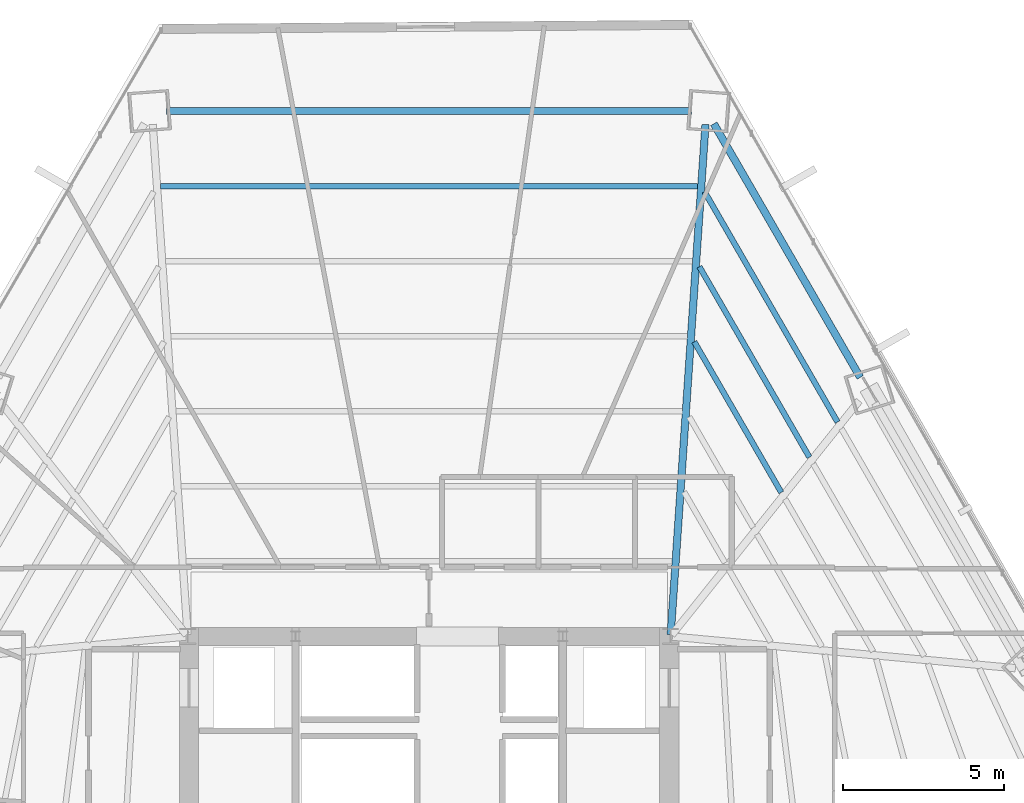
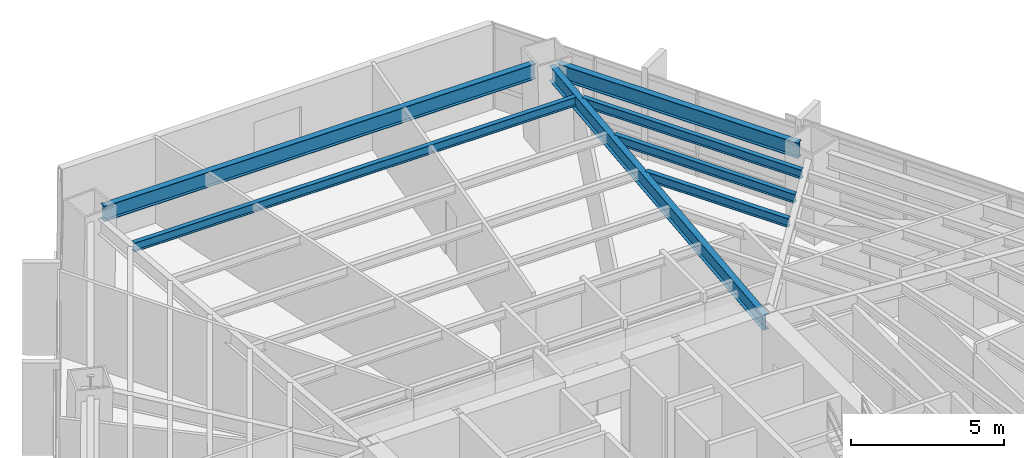
# One storey, part 26 of 35: 7 beams.
"""IFC4 building model written with IfcOpenShell, lengths in metres."""

from ifc_helpers import new_model, si_unit, direction, frame, origin, origin_2d, place, context, subcontext, project, spatial, i_section, extrude, source, transform, mapped, material, material_profile, profile_set, type_object, type_shapes, element, save


model = new_model("IFC4")

# Units and contexts
model_context = context("Model", 3, precision=1e-05, world=origin(), true_north=direction((0.0, 1.0)))
body_context = subcontext(model_context, "Body", "Model", "MODEL_VIEW")
ifc_project = project(units=[si_unit("LENGTHUNIT", "METRE"), si_unit("AREAUNIT", "SQUARE_METRE"), si_unit("VOLUMEUNIT", "CUBIC_METRE"), si_unit("PLANEANGLEUNIT", "RADIAN"), si_unit("MASSUNIT", "GRAM", prefix="KILO")], contexts=[model_context])

# Site, building, storey
site_placement = place(None, origin())
site = spatial("IfcSite", under=ifc_project, at=site_placement, CompositionType="ELEMENT")
building_placement = place(site_placement, origin())
building = spatial("IfcBuilding", under=site, at=building_placement, Name="Caelisora Broadcast Tower", CompositionType="ELEMENT")
storey_placement = place(building_placement, frame((0.0, 0.0, 53.14990234375)))
storey = spatial("IfcBuildingStorey", under=building, at=storey_placement, Name="L13", CompositionType="ELEMENT", Elevation=53.14990234375)

# Beams
ifc_material = material(Name="Steel Grade 350 (AS/NZS 3679.1)", Category="steel")
ifc_material_profile_1 = material_profile(ifc_material, i_section(OverallWidth=0.22802734375, OverallDepth=0.602294921875, WebThickness=0.010498046875, FlangeThickness=0.014892578125, at=origin_2d()), Name="Steel Grade 350 (AS/NZS 3679.1)")
ifc_profile_set_1 = profile_set([ifc_material_profile_1], Name="Steel Grade 350 (AS/NZS 3679.1)")
beam_type_1 = type_object("IfcBeamType", Name="PG04", PredefinedType="BEAM", material=ifc_profile_set_1)
shared_shape_1 = source(origin(), body_context, "Body", "SweptSolid", [
    extrude(i_section(OverallWidth=0.22802734375, OverallDepth=0.602294921875, WebThickness=0.010498046875, FlangeThickness=0.014892578125, at=origin_2d()), origin(), (0.0, 0.0, 1.0), 15.88134765625),
])
type_shapes(beam_type_1, [shared_shape_1])
beam_1_placement = place(storey_placement, frame((45.504150390625, 30.059814453125, 3.098876953125), z_axis=(0.068086137971, 0.997679446424, 0.0), x_axis=(-0.997679446424, 0.068086137971, 0.0)))
element("IfcBeam", 1, at=beam_1_placement, inside=storey, type_object=beam_type_1, Name="L13 beam PG04", PredefinedType="BEAM", context=body_context, shape_type="MappedRepresentation", body=[
    mapped(shared_shape_1, transform((0.0, 0.0, 0.0), scale=1.0)),
])
ifc_material_profile_2 = material_profile(ifc_material, i_section(OverallWidth=0.22900390625, OverallDepth=0.611572265625, WebThickness=0.011962890625, FlangeThickness=0.01953125, at=origin_2d()), Name="Steel Grade 350 (AS/NZS 3679.1)")
ifc_profile_set_2 = profile_set([ifc_material_profile_2], Name="Steel Grade 350 (AS/NZS 3679.1)")
beam_type_2 = type_object("IfcBeamType", Name="PG03", PredefinedType="BEAM", material=ifc_profile_set_2)
shared_shape_2 = source(origin(), body_context, "Body", "SweptSolid", [
    extrude(i_section(OverallWidth=0.22900390625, OverallDepth=0.611572265625, WebThickness=0.011962890625, FlangeThickness=0.01953125, at=origin_2d()), origin(), (0.0, 0.0, 1.0), 16.30810546875),
])
beam_2_placement = place(storey_placement, frame((46.154052734375, 46.323486328125, 3.09423828125), z_axis=(-1.0, 0.0, 0.0), x_axis=(0.0, -1.0, 0.0)))
element("IfcBeam", 2, at=beam_2_placement, inside=storey, type_object=beam_type_2, Name="L13 beam PG03", PredefinedType="BEAM", context=body_context, shape_type="MappedRepresentation", body=[
    mapped(shared_shape_2, transform((0.0, 0.0, 0.0), scale=1.0)),
])
shared_shape_3 = source(origin(), body_context, "Body", "SweptSolid", [
    extrude(i_section(OverallWidth=0.22900390625, OverallDepth=0.611572265625, WebThickness=0.011962890625, FlangeThickness=0.01953125, at=origin_2d()), origin(), (0.0, 0.0, 1.0), 9.09716796875),
])
type_shapes(beam_type_2, [shared_shape_2, shared_shape_3])
beam_3_placement = place(storey_placement, frame((51.392578125, 38.046630859375, 3.09423828125), z_axis=(-0.499998124367, 0.866026486679, 0.0), x_axis=(-0.866026486679, -0.499998124367, 0.0)))
element("IfcBeam", 3, at=beam_3_placement, inside=storey, type_object=beam_type_2, Name="L13 beam PG03", PredefinedType="BEAM", context=body_context, shape_type="MappedRepresentation", body=[
    mapped(shared_shape_3, transform((0.0, 0.0, 0.0), scale=1.0)),
])
ifc_material_profile_3 = material_profile(ifc_material, i_section(OverallWidth=0.172119140625, OverallDepth=0.358642578125, WebThickness=0.008056640625, FlangeThickness=0.012939453125, at=origin_2d()), Name="Steel Grade 350 (AS/NZS 3679.1)")
ifc_profile_set_3 = profile_set([ifc_material_profile_3], Name="Steel Grade 350 (AS/NZS 3679.1)")
beam_type_3 = type_object("IfcBeamType", Name="SB02", PredefinedType="JOIST", material=ifc_profile_set_3)
shared_shape_4 = source(origin(), body_context, "Body", "SweptSolid", [
    extrude(i_section(OverallWidth=0.172119140625, OverallDepth=0.358642578125, WebThickness=0.008056640625, FlangeThickness=0.012939453125, at=origin_2d()), origin(), (0.0, 0.0, 1.0), 16.68701171875),
])
beam_4_placement = place(storey_placement, frame((46.343505859375, 43.991455078125, 3.220703125), z_axis=(-1.0, 0.0, 0.0), x_axis=(0.0, -1.0, 0.0)))
element("IfcBeam", 4, at=beam_4_placement, inside=storey, type_object=beam_type_3, Name="L13 beam SB02", PredefinedType="JOIST", context=body_context, shape_type="MappedRepresentation", body=[
    mapped(shared_shape_4, transform((0.0, 0.0, 0.0), scale=1.0)),
])
shared_shape_5 = source(origin(), body_context, "Body", "SweptSolid", [
    extrude(i_section(OverallWidth=0.172119140625, OverallDepth=0.358642578125, WebThickness=0.008056640625, FlangeThickness=0.012939453125, at=origin_2d()), origin(), (0.0, 0.0, 1.0), 5.4033203125),
])
beam_5_placement = place(storey_placement, frame((48.93896484375, 34.473876953125, 3.220703125), z_axis=(-0.499997539448, 0.86602682438, 0.0), x_axis=(-0.86602682438, -0.499997539448, 0.0)))
element("IfcBeam", 5, at=beam_5_placement, inside=storey, type_object=beam_type_3, Name="L13 beam SB02", PredefinedType="JOIST", context=body_context, shape_type="MappedRepresentation", body=[
    mapped(shared_shape_5, transform((0.0, 0.0, 0.0), scale=1.0)),
])
shared_shape_6 = source(origin(), body_context, "Body", "SweptSolid", [
    extrude(i_section(OverallWidth=0.172119140625, OverallDepth=0.358642578125, WebThickness=0.008056640625, FlangeThickness=0.012939453125, at=origin_2d()), origin(), (0.0, 0.0, 1.0), 6.834228515625),
])
beam_6_placement = place(storey_placement, frame((49.8134765625, 35.56640625, 3.220703125), z_axis=(-0.499981176213, 0.86603627143, 0.0), x_axis=(-0.86603627143, -0.499981176213, 0.0)))
element("IfcBeam", 6, at=beam_6_placement, inside=storey, type_object=beam_type_3, Name="L13 beam SB02", PredefinedType="JOIST", context=body_context, shape_type="MappedRepresentation", body=[
    mapped(shared_shape_6, transform((0.0, 0.0, 0.0), scale=1.0)),
])
shared_shape_7 = source(origin(), body_context, "Body", "SweptSolid", [
    extrude(i_section(OverallWidth=0.172119140625, OverallDepth=0.358642578125, WebThickness=0.008056640625, FlangeThickness=0.012939453125, at=origin_2d()), origin(), (0.0, 0.0, 1.0), 8.26513671875),
])
type_shapes(beam_type_3, [shared_shape_4, shared_shape_5, shared_shape_6, shared_shape_7])
beam_7_placement = place(storey_placement, frame((50.688232421875, 36.6591796875, 3.220703125), z_axis=(-0.499992632962, 0.866029657104, 0.0), x_axis=(-0.866029657104, -0.499992632962, 0.0)))
element("IfcBeam", 7, at=beam_7_placement, inside=storey, type_object=beam_type_3, Name="L13 beam SB02", PredefinedType="JOIST", context=body_context, shape_type="MappedRepresentation", body=[
    mapped(shared_shape_7, transform((0.0, 0.0, 0.0), scale=1.0)),
])

save(model, "model.ifc")
